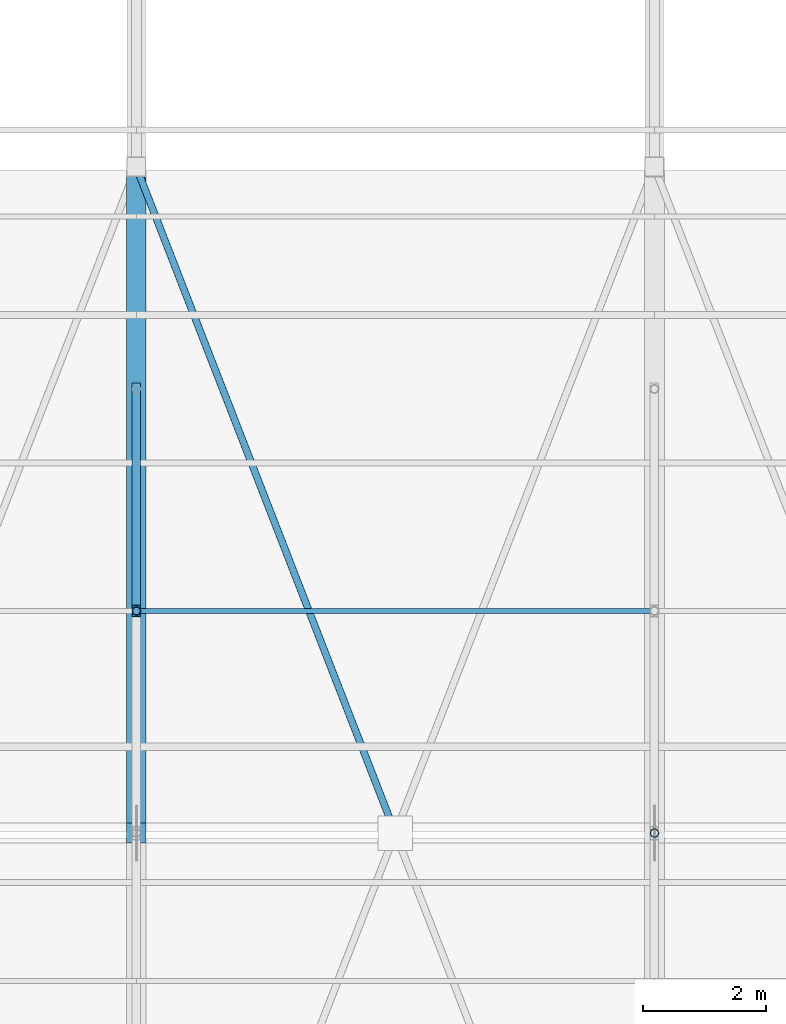
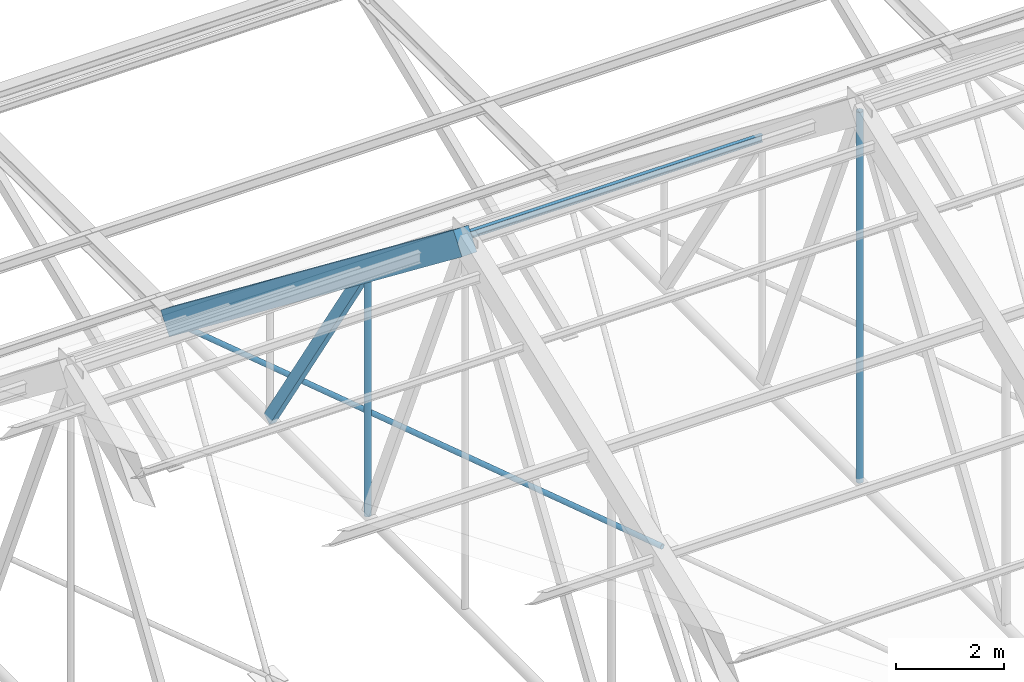
# One storey, part 120 of 217: 6 members.
"""IFC4 building model written with IfcOpenShell, lengths in metres."""

from ifc_helpers import new_model, si_unit, direction, frame, origin, origin_2d, place, context, subcontext, project, spatial, rectangle, hollow_rectangle, hollow_circle, i_section, extrude, material, material_profile, profile_set, type_object, element, save


model = new_model("IFC4")

# Units and contexts
model_context = context("Model", 3, precision=1e-05, world=origin(), true_north=direction((0.0, 1.0)))
body_context = subcontext(model_context, "Body", "Model", "MODEL_VIEW")
ifc_project = project(units=[si_unit("LENGTHUNIT", "METRE"), si_unit("AREAUNIT", "SQUARE_METRE"), si_unit("VOLUMEUNIT", "CUBIC_METRE"), si_unit("PLANEANGLEUNIT", "RADIAN"), si_unit("MASSUNIT", "GRAM", prefix="KILO")], contexts=[model_context])

# Site, building, storey
site_placement = place(None, origin())
site = spatial("IfcSite", under=ifc_project, at=site_placement, CompositionType="ELEMENT")
building_placement = place(site_placement, origin())
building = spatial("IfcBuilding", under=site, at=building_placement, Name="Mazaris Harbour Polytechnic", CompositionType="ELEMENT")
storey_placement = place(building_placement, frame((0.0, 0.0, 9.60009765625)))
storey = spatial("IfcBuildingStorey", under=building, at=storey_placement, Name="L02", CompositionType="ELEMENT", Elevation=9.60009765625)

# Members
ifc_material_1 = material(Name="Glulam GL32h", Category="wood")
ifc_material_profile_1 = material_profile(ifc_material_1, rectangle(XDim=0.320068359375, YDim=0.52001953125, at=origin_2d()), Name="RECT320x520")
ifc_profile_set_1 = profile_set([ifc_material_profile_1], Name="Glulam GL32h")
member_type_1 = type_object("IfcMemberType", Name="Glulam Top Chord 320x520", PredefinedType="CHORD", material=ifc_profile_set_1)
member_1_placement = place(storey_placement, frame((79.199951171875, 97.199951171875, 12.099853515625), z_axis=(0.0, 0.791130406401, -0.611647512926), x_axis=(-1.0, 0.0, 0.0)))
element("IfcMember", 1, at=member_1_placement, inside=storey, type_object=member_type_1, Name="Truss 4 North Glulam Top Chord", PredefinedType="CHORD", context=body_context, shape_type="SweptSolid", body=[
    extrude(rectangle(XDim=0.320068359375, YDim=0.52001953125, at=origin_2d()), origin(), (0.0, 0.0, 1.0), 13.6513671875),
])
ifc_material_2 = material(Name="Steel S355", Category="steel")
ifc_material_profile_2 = material_profile(ifc_material_2, i_section(OverallWidth=0.08203125, OverallDepth=0.159912109375, WebThickness=0.0048828125, FlangeThickness=0.00732421875, FilletRadius=0.009033203125, at=origin_2d()), Name="IPE 160")
ifc_profile_set_2 = profile_set([ifc_material_profile_2], Name="Steel S355")
member_type_2 = type_object("IfcMemberType", Name="Steel Purlin IPE160", PredefinedType="PURLIN", material=ifc_profile_set_2)
member_2_placement = place(storey_placement, frame((79.199951171875, 100.800048828125, 9.308837890625), z_axis=(1.0, 0.0, 0.0), x_axis=(0.0, 1.0, 0.0)))
element("IfcMember", 2, at=member_2_placement, inside=storey, type_object=member_type_2, Name="V1 Roof Purlin N-78", PredefinedType="PURLIN", context=body_context, shape_type="SweptSolid", body=[
    extrude(i_section(OverallWidth=0.08203125, OverallDepth=0.159912109375, WebThickness=0.0048828125, FlangeThickness=0.00732421875, FilletRadius=0.009033203125, at=origin_2d()), origin(), (0.0, 0.0, 1.0), 8.400146484375),
])
ifc_material_3 = material(Name="Steel S355", Category="steel")
ifc_material_profile_3 = material_profile(ifc_material_3, hollow_rectangle(XDim=0.139892578125, YDim=0.239990234375, WallThickness=0.010009765625, at=origin_2d()), Name="RHS 140x240x10.0")
ifc_profile_set_3 = profile_set([ifc_material_profile_3], Name="Steel S355")
member_type_3 = type_object("IfcMemberType", Name="Steel Truss Diagonal RHS140x240", PredefinedType="BRACE", material=ifc_profile_set_3)
member_3_placement = place(storey_placement, frame((79.199951171875, 104.39990234375, 3.75), z_axis=(0.0, -0.543028315091, 0.839714385377), x_axis=(1.0, 0.0, 0.0)))
element("IfcMember", 3, at=member_3_placement, inside=storey, type_object=member_type_3, Name="Truss 4 Web Diagonal N2", PredefinedType="BRACE", context=body_context, shape_type="SweptSolid", body=[
    extrude(hollow_rectangle(XDim=0.139892578125, YDim=0.239990234375, WallThickness=0.010009765625, at=origin_2d()), origin(), (0.0, 0.0, 1.0), 6.629150390625),
])
ifc_material_4 = material(Name="Steel S355", Category="steel")
ifc_material_profile_4 = material_profile(ifc_material_4, hollow_circle(Radius=0.06982421875, WallThickness=0.008056640625, at=origin_2d()), Name="CHS 139.7x8.0")
ifc_profile_set_4 = profile_set([ifc_material_profile_4], Name="Steel S355")
member_type_4 = type_object("IfcMemberType", Name="Steel Truss Strut CHS139", PredefinedType="STRUT", material=ifc_profile_set_4)
member_4_placement = place(storey_placement, frame((79.199951171875, 100.800048828125, 3.75), z_axis=(0.0, 0.0, 1.0), x_axis=(1.0, 0.0, 0.0)))
element("IfcMember", 4, at=member_4_placement, inside=storey, type_object=member_type_4, Name="Truss 4 Web Post N1", PredefinedType="STRUT", context=body_context, shape_type="SweptSolid", body=[
    extrude(hollow_circle(Radius=0.06982421875, WallThickness=0.008056640625, at=origin_2d()), origin(), (0.0, 0.0, 1.0), 5.566650390625),
])
member_5_placement = place(storey_placement, frame((87.60009765625, 97.199951171875, 3.75), z_axis=(0.0, 0.0, 1.0), x_axis=(1.0, 0.0, 0.0)))
element("IfcMember", 5, at=member_5_placement, inside=storey, type_object=member_type_4, Name="Truss 5 Web Post S4", PredefinedType="STRUT", context=body_context, shape_type="SweptSolid", body=[
    extrude(hollow_circle(Radius=0.06982421875, WallThickness=0.008056640625, at=origin_2d()), origin(), (0.0, 0.0, 1.0), 8.349853515625),
])
ifc_material_5 = material(Name="Steel S355", Category="steel")
ifc_material_profile_5 = material_profile(ifc_material_5, hollow_circle(Radius=0.05712890625, WallThickness=0.00634765625, at=origin_2d()), Name="CHS 114.3x6.3")
ifc_profile_set_5 = profile_set([ifc_material_profile_5], Name="Steel S355")
member_type_5 = type_object("IfcMemberType", Name="Steel Wind Brace CHS114", PredefinedType="BRACE", material=ifc_profile_set_5)
member_6_placement = place(storey_placement, frame((79.199951171875, 108.0, 3.75), z_axis=(0.3624411776, -0.932006648463, 0.0), x_axis=(0.932006648463, 0.3624411776, 0.0)))
element("IfcMember", 6, at=member_6_placement, inside=storey, type_object=member_type_5, Name="V1 Split Roof Wind Brace 4B1", PredefinedType="BRACE", context=body_context, shape_type="SweptSolid", body=[
    extrude(hollow_circle(Radius=0.05712890625, WallThickness=0.00634765625, at=origin_2d()), origin(), (0.0, 0.0, 1.0), 11.587890625),
])

save(model, "model.ifc")
